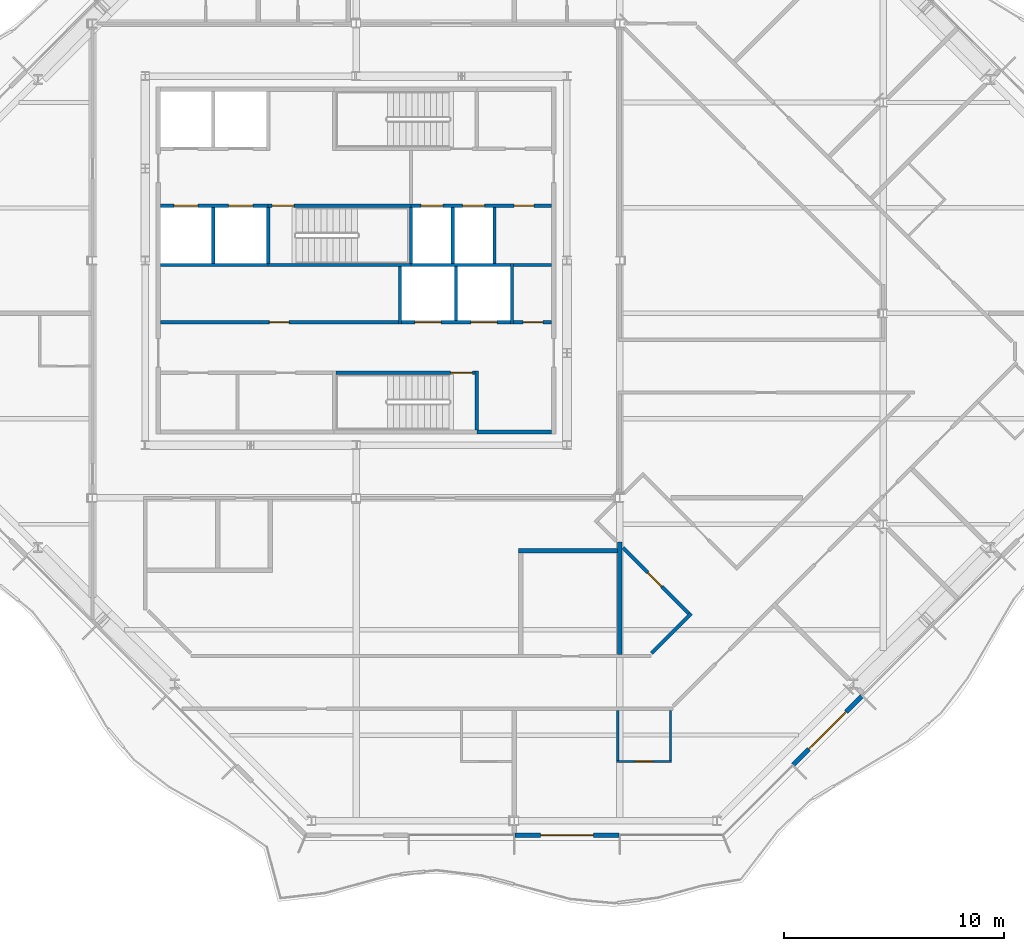
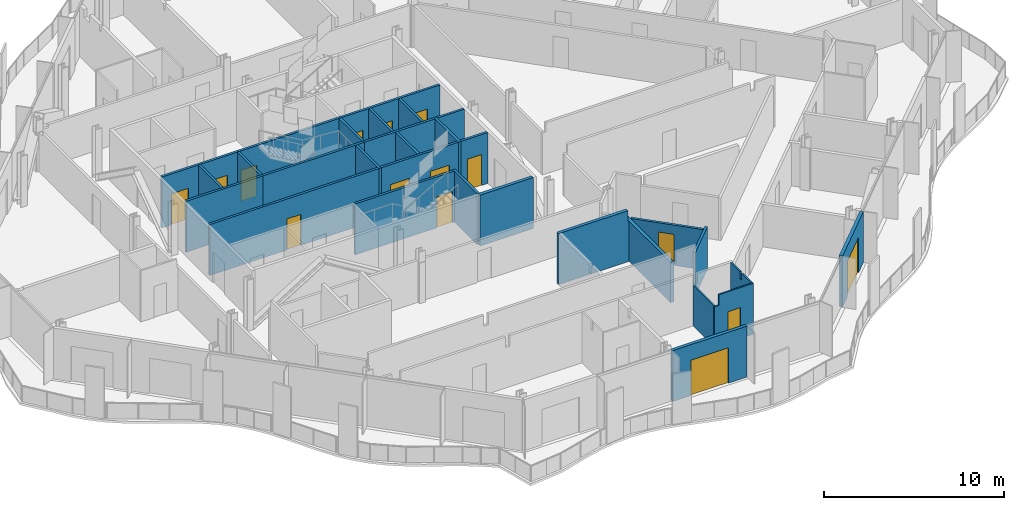
# One storey, part 8 of 17: 30 walls, 15 doors, 15 openings.
"""IFC4 building model written with IfcOpenShell, lengths in metres."""

from ifc_helpers import new_model, si_unit, direction, frame, frame_2d, origin, place, context, subcontext, project, spatial, polyline, rectangle, outline, extrude, material, layer, layer_set, type_object, element, fill, save


model = new_model("IFC4")

# Units and contexts
model_context = context("Model", 3, precision=1e-05, world=origin(), true_north=direction((0.0, 1.0)))
body_context = subcontext(model_context, "Body", "Model", "MODEL_VIEW")
ifc_project = project(units=[si_unit("LENGTHUNIT", "METRE"), si_unit("AREAUNIT", "SQUARE_METRE"), si_unit("VOLUMEUNIT", "CUBIC_METRE"), si_unit("PLANEANGLEUNIT", "RADIAN"), si_unit("MASSUNIT", "GRAM", prefix="KILO")], contexts=[model_context])

# Site, building, storey
site_placement = place(None, origin())
site = spatial("IfcSite", under=ifc_project, at=site_placement, CompositionType="ELEMENT")
building_placement = place(site_placement, origin())
building = spatial("IfcBuilding", under=site, at=building_placement, Name="Cairn Pilgrim Tower", CompositionType="ELEMENT")
storey_placement = place(building_placement, frame((0.0, 0.0, 232.199951171875)))
storey = spatial("IfcBuildingStorey", under=building, at=storey_placement, Name="L59", CompositionType="ELEMENT", Elevation=232.199951171875)

# Wall, opening, door
ifc_material_1 = material(Name="Bronze anodised aluminium insulated sandwich panel with mineral wool fill", Category="aluminium")
ifc_layer_1 = layer(ifc_material_1, 0.199951171875)
ifc_layer_set_1 = layer_set([ifc_layer_1], Name="BRONZE INFILL FRAME WALL 200")
wall_type_1 = type_object("IfcWallType", Name="BRONZE INFILL FRAME WALL 200", PredefinedType="NOTDEFINED", material=ifc_layer_set_1)
wall_1_placement = place(storey_placement, frame((14.429931640625, -23.75, 0.0), z_axis=(0.0, 0.0, 1.0), x_axis=(1.0, 0.0, 0.0)))
wall_1 = element("IfcWall", 1, at=wall_1_placement, inside=storey, type_object=wall_type_1, Name="Bronze infill frame wall IW-S3", PredefinedType="NOTDEFINED", context=body_context, shape_type="SweptSolid", body=[
    extrude(rectangle(XDim=4.739990234375, YDim=0.199951171875, at=frame_2d((2.3701171875, 0.0))), origin(), (0.0, 0.0, 1.0), 3.449951171875),
])
opening_1_placement = place(wall_1_placement, frame((1.169921875, 0.0, 0.0)))
opening_1 = element("IfcOpeningElement", 2, at=opening_1_placement, cuts=wall_1, Name="Opening 5901B2", PredefinedType="OPENING", context=body_context, shape_type="SweptSolid", body=[
    extrude(rectangle(XDim=2.39990234375, YDim=2.39990234375, at=frame_2d((1.199951171875, 1.199951171875))), frame((0.0, 0.10986328125, 0.0), z_axis=(0.0, -1.0, 0.0), x_axis=(1.0, 0.0, 0.0)), (0.0, 0.0, 1.0), 0.219970703125),
])
ifc_material_2 = material(Name="Bronze anodised aluminium frame with tinted low-E glass", Category="aluminium")
door_type_1 = type_object("IfcDoorType", Name="BALCONY SLIDING DOOR 2400x2400", OperationType="DOUBLE_DOOR_SLIDING", PredefinedType="DOOR", material=ifc_material_2)
door_1_placement = place(opening_1_placement, origin())
door_1 = element("IfcDoor", 3, at=door_1_placement, inside=storey, type_object=door_type_1, Name="Balcony sliding door 5901B2", OperationType="SINGLE_SWING_LEFT", OverallHeight=2.39990234375, OverallWidth=2.39990234375, PredefinedType="DOOR", context=body_context, shape_type="SweptSolid", body=[
    extrude(rectangle(XDim=2.39990234375, YDim=2.39990234375, at=frame_2d((1.199951171875, 1.199951171875))), frame((0.0, 0.02490234375, 0.0), z_axis=(0.0, -1.0, 0.0), x_axis=(1.0, 0.0, 0.0)), (0.0, 0.0, 1.0), 0.050048828125),
])
fill(opening_1, door_1)

wall_2_placement = place(storey_placement, frame((27.09326171875, -20.55322265625, 0.0), z_axis=(0.0, 0.0, 1.0), x_axis=(0.707079231393, 0.707134329907, 0.0)))
wall_2 = element("IfcWall", 4, at=wall_2_placement, inside=storey, type_object=wall_type_1, Name="Bronze infill frame wall IW-SE2", PredefinedType="NOTDEFINED", context=body_context, shape_type="SweptSolid", body=[
    extrude(rectangle(XDim=4.430908203125, YDim=0.199951171875, at=frame_2d((2.21533203125, 0.0))), origin(), (0.0, 0.0, 1.0), 3.449951171875),
])
opening_2_placement = place(wall_2_placement, frame((1.015380859375, 0.0, 0.0)))
opening_2 = element("IfcOpeningElement", 5, at=opening_2_placement, cuts=wall_2, Name="Opening 5901B", PredefinedType="OPENING", context=body_context, shape_type="SweptSolid", body=[
    extrude(rectangle(XDim=2.39990234375, YDim=2.39990234375, at=frame_2d((1.199951171875, 1.199951171875))), frame((0.0, 0.10986328125, 0.0), z_axis=(0.0, -1.0, 0.0), x_axis=(1.0, 0.0, 0.0)), (0.0, 0.0, 1.0), 0.219970703125),
])
door_2_placement = place(opening_2_placement, origin())
door_2 = element("IfcDoor", 6, at=door_2_placement, inside=storey, type_object=door_type_1, Name="Balcony sliding door 5901B", OperationType="SINGLE_SWING_LEFT", OverallHeight=2.39990234375, OverallWidth=2.39990234375, PredefinedType="DOOR", context=body_context, shape_type="SweptSolid", body=[
    extrude(rectangle(XDim=2.39990234375, YDim=2.39990234375, at=frame_2d((1.199951171875, 1.199951171875))), frame((0.0, 0.02490234375, 0.0), z_axis=(0.0, -1.0, 0.0), x_axis=(1.0, 0.0, 0.0)), (0.0, 0.0, 1.0), 0.050048828125),
])
fill(opening_2, door_2)

# Wall
ifc_material_3 = material(Name="Concrete C32/40", Category="concrete")
ifc_layer_2 = layer(ifc_material_3, 0.199951171875)
ifc_layer_set_2 = layer_set([ifc_layer_2], Name="CORE OUTER WALL 200 EI 120")
wall_type_2 = type_object("IfcWallType", Name="CORE OUTER WALL 200 EI 120", PredefinedType="SOLIDWALL", material=ifc_layer_set_2)
wall_3_placement = place(storey_placement, frame((12.699951171875, -5.39990234375, 0.0), z_axis=(0.0, 0.0, 1.0), x_axis=(1.0, 0.0, 0.0)))
element("IfcWall", 7, at=wall_3_placement, inside=storey, type_object=wall_type_2, Name="CW:L59:H01-3", PredefinedType="SOLIDWALL", context=body_context, shape_type="SweptSolid", body=[
    extrude(rectangle(XDim=3.400146484375, YDim=0.199951171875, at=frame_2d((1.7001953125, 0.0))), origin(), (0.0, 0.0, 1.0), 3.449951171875),
])

# Wall, opening, door
ifc_layer_3 = layer(ifc_material_3, 0.14990234375)
ifc_layer_set_3 = layer_set([ifc_layer_3], Name="CORE PARTITION 150 EI 60")
wall_type_3 = type_object("IfcWallType", Name="CORE PARTITION 150 EI 60", PredefinedType="PARTITIONING", material=ifc_layer_set_3)
wall_4_placement = place(storey_placement, frame((-1.699951171875, -0.39990234375, 0.0), z_axis=(0.0, 0.0, 1.0), x_axis=(1.0, 0.0, 0.0)))
wall_4 = element("IfcWall", 8, at=wall_4_placement, inside=storey, type_object=wall_type_3, Name="CW:L59:H04", PredefinedType="PARTITIONING", context=body_context, shape_type="SweptSolid", body=[
    extrude(rectangle(XDim=10.824951171875, YDim=0.14990234375, at=frame_2d((5.41259765625, 0.0))), origin(), (0.0, 0.0, 1.0), 3.449951171875),
])
opening_3_placement = place(wall_4_placement, frame((4.949951171875, 0.0, 0.0)))
opening_3 = element("IfcOpeningElement", 9, at=opening_3_placement, cuts=wall_4, Name="Opening RD-R2W1", PredefinedType="OPENING", context=body_context, shape_type="SweptSolid", body=[
    extrude(rectangle(XDim=0.89990234375, YDim=2.10009765625, at=frame_2d((0.449951171875, 1.050048828125))), frame((0.0, 0.0849609375, 0.0), z_axis=(0.0, -1.0, 0.0), x_axis=(1.0, 0.0, 0.0)), (0.0, 0.0, 1.0), 0.169921875),
])
ifc_material_4 = material(Name="Painted steel", Category="steel")
door_type_2 = type_object("IfcDoorType", Name="SERVICE ROOM DOOR 900x2100", OperationType="SINGLE_SWING_LEFT", PredefinedType="DOOR", material=ifc_material_4)
door_3_placement = place(opening_3_placement, origin())
door_3 = element("IfcDoor", 10, at=door_3_placement, inside=storey, type_object=door_type_2, Name="RD-R2W1", OperationType="SINGLE_SWING_RIGHT", OverallHeight=2.10009765625, OverallWidth=0.89990234375, PredefinedType="DOOR", context=body_context, shape_type="SweptSolid", body=[
    extrude(rectangle(XDim=0.89990234375, YDim=2.10009765625, at=frame_2d((0.449951171875, 1.050048828125))), frame((0.0, 0.02490234375, 0.0), z_axis=(0.0, -1.0, 0.0), x_axis=(1.0, 0.0, 0.0)), (0.0, 0.0, 1.0), 0.050048828125),
])
fill(opening_3, door_3)

wall_5_placement = place(storey_placement, frame((14.375, -0.39990234375, 0.0), z_axis=(0.0, 0.0, 1.0), x_axis=(1.0, 0.0, 0.0)))
wall_5 = element("IfcWall", 11, at=wall_5_placement, inside=storey, type_object=wall_type_3, Name="CW:L59:H06", PredefinedType="PARTITIONING", context=body_context, shape_type="SweptSolid", body=[
    extrude(rectangle(XDim=1.72509765625, YDim=0.14990234375, at=frame_2d((0.862548828125, 0.0))), origin(), (0.0, 0.0, 1.0), 3.449951171875),
])
opening_4_placement = place(wall_5_placement, frame((0.425048828125, 0.0, 0.0)))
opening_4 = element("IfcOpeningElement", 12, at=opening_4_placement, cuts=wall_5, Name="Opening RD-R2E", PredefinedType="OPENING", context=body_context, shape_type="SweptSolid", body=[
    extrude(rectangle(XDim=0.89990234375, YDim=2.10009765625, at=frame_2d((0.449951171875, 1.050048828125))), frame((0.0, 0.0849609375, 0.0), z_axis=(0.0, -1.0, 0.0), x_axis=(1.0, 0.0, 0.0)), (0.0, 0.0, 1.0), 0.169921875),
])
door_4_placement = place(opening_4_placement, origin())
door_4 = element("IfcDoor", 13, at=door_4_placement, inside=storey, type_object=door_type_2, Name="RD-R2E", OperationType="SINGLE_SWING_LEFT", OverallHeight=2.10009765625, OverallWidth=0.89990234375, PredefinedType="DOOR", context=body_context, shape_type="SweptSolid", body=[
    extrude(rectangle(XDim=0.89990234375, YDim=2.10009765625, at=frame_2d((0.449951171875, 1.050048828125))), frame((0.0, 0.02490234375, 0.0), z_axis=(0.0, -1.0, 0.0), x_axis=(1.0, 0.0, 0.0)), (0.0, 0.0, 1.0), 0.050048828125),
])
fill(opening_4, door_4)

# Wall
wall_6_placement = place(storey_placement, frame((14.375, 2.199951171875, 0.0), z_axis=(0.0, 0.0, 1.0), x_axis=(1.0, 0.0, 0.0)))
element("IfcWall", 14, at=wall_6_placement, inside=storey, type_object=wall_type_3, Name="CW:L59:H08", PredefinedType="PARTITIONING", context=body_context, shape_type="SweptSolid", body=[
    extrude(rectangle(XDim=1.72509765625, YDim=0.14990234375, at=frame_2d((0.862548828125, 0.0))), origin(), (0.0, 0.0, 1.0), 3.449951171875),
])

# Wall, openings, doors
ifc_layer_4 = layer(ifc_material_3, 0.14990234375)
ifc_layer_set_4 = layer_set([ifc_layer_4], Name="CORE SHAFT WALL 150 EI 120")
wall_type_4 = type_object("IfcWallType", Name="CORE SHAFT WALL 150 EI 120", PredefinedType="SOLIDWALL", material=ifc_layer_set_4)
wall_7_placement = place(storey_placement, frame((9.27490234375, -0.39990234375, 0.0), z_axis=(0.0, 0.0, 1.0), x_axis=(1.0, 0.0, 0.0)))
wall_7 = element("IfcWall", 15, at=wall_7_placement, inside=storey, type_object=wall_type_4, Name="CW:L59:H05", PredefinedType="SOLIDWALL", context=body_context, shape_type="SweptSolid", body=[
    extrude(rectangle(XDim=4.9501953125, YDim=0.14990234375, at=frame_2d((2.47509765625, 0.0))), origin(), (0.0, 0.0, 1.0), 3.449951171875),
])
opening_5_placement = place(wall_7_placement, frame((0.60009765625, 0.0, 0.0)))
opening_5 = element("IfcOpeningElement", 16, at=opening_5_placement, cuts=wall_7, Name="Opening LD-SV1", PredefinedType="OPENING", context=body_context, shape_type="SweptSolid", body=[
    extrude(rectangle(XDim=1.199951171875, YDim=2.10009765625, at=frame_2d((0.60009765625, 1.050048828125))), frame((0.0, 0.0849609375, 0.0), z_axis=(0.0, -1.0, 0.0), x_axis=(1.0, 0.0, 0.0)), (0.0, 0.0, 1.0), 0.169921875),
])
opening_6_placement = place(wall_7_placement, frame((3.14990234375, 0.0, 0.0)))
opening_6 = element("IfcOpeningElement", 17, at=opening_6_placement, cuts=wall_7, Name="Opening LD-SV2", PredefinedType="OPENING", context=body_context, shape_type="SweptSolid", body=[
    extrude(rectangle(XDim=1.199951171875, YDim=2.10009765625, at=frame_2d((0.60009765625, 1.050048828125))), frame((0.0, 0.0849609375, 0.0), z_axis=(0.0, -1.0, 0.0), x_axis=(1.0, 0.0, 0.0)), (0.0, 0.0, 1.0), 0.169921875),
])
ifc_material_5 = material(Name="Stainless steel", Category="steel")
door_type_3 = type_object("IfcDoorType", Name="LIFT LANDING DOOR 1200x2100", OperationType="DOUBLE_DOOR_SLIDING", PredefinedType="DOOR", material=ifc_material_5)
door_5_placement = place(opening_5_placement, origin())
door_5 = element("IfcDoor", 18, at=door_5_placement, inside=storey, type_object=door_type_3, Name="LANDING DOOR SV1", OperationType="DOUBLE_DOOR_SLIDING", OverallHeight=2.10009765625, OverallWidth=1.199951171875, PredefinedType="DOOR", context=body_context, shape_type="SweptSolid", body=[
    extrude(rectangle(XDim=1.199951171875, YDim=2.10009765625, at=frame_2d((0.60009765625, 1.050048828125))), frame((0.0, 0.02490234375, 0.0), z_axis=(0.0, -1.0, 0.0), x_axis=(1.0, 0.0, 0.0)), (0.0, 0.0, 1.0), 0.050048828125),
])
fill(opening_5, door_5)
door_6_placement = place(opening_6_placement, origin())
door_6 = element("IfcDoor", 19, at=door_6_placement, inside=storey, type_object=door_type_3, Name="LANDING DOOR SV2", OperationType="DOUBLE_DOOR_SLIDING", OverallHeight=2.10009765625, OverallWidth=1.199951171875, PredefinedType="DOOR", context=body_context, shape_type="SweptSolid", body=[
    extrude(rectangle(XDim=1.199951171875, YDim=2.10009765625, at=frame_2d((0.60009765625, 1.050048828125))), frame((0.0, 0.02490234375, 0.0), z_axis=(0.0, -1.0, 0.0), x_axis=(1.0, 0.0, 0.0)), (0.0, 0.0, 1.0), 0.050048828125),
])
fill(opening_6, door_6)

# Walls
wall_8_placement = place(storey_placement, frame((-1.699951171875, 2.199951171875, 0.0), z_axis=(0.0, 0.0, 1.0), x_axis=(1.0, 0.0, 0.0)))
element("IfcWall", 20, at=wall_8_placement, inside=storey, type_object=wall_type_4, Name="CW:L59:H07-1", PredefinedType="SOLIDWALL", context=body_context, shape_type="SweptSolid", body=[
    extrude(rectangle(XDim=4.89990234375, YDim=0.14990234375, at=frame_2d((2.449951171875, 0.0))), origin(), (0.0, 0.0, 1.0), 3.449951171875),
])
wall_9_placement = place(storey_placement, frame((9.699951171875, 2.199951171875, 0.0), z_axis=(0.0, 0.0, 1.0), x_axis=(1.0, 0.0, 0.0)))
element("IfcWall", 21, at=wall_9_placement, inside=storey, type_object=wall_type_4, Name="CW:L59:H07-3", PredefinedType="SOLIDWALL", context=body_context, shape_type="SweptSolid", body=[
    extrude(rectangle(XDim=4.525146484375, YDim=0.14990234375, at=frame_2d((2.2626953125, 0.0))), origin(), (0.0, 0.0, 1.0), 3.449951171875),
])

# Wall, openings, doors
wall_10_placement = place(storey_placement, frame((-1.699951171875, 4.89990234375, 0.0), z_axis=(0.0, 0.0, 1.0), x_axis=(1.0, 0.0, 0.0)))
wall_10 = element("IfcWall", 22, at=wall_10_placement, inside=storey, type_object=wall_type_4, Name="CW:L59:H09-1", PredefinedType="SOLIDWALL", context=body_context, shape_type="SweptSolid", body=[
    extrude(rectangle(XDim=4.89990234375, YDim=0.14990234375, at=frame_2d((2.449951171875, 0.0))), origin(), (0.0, 0.0, 1.0), 3.449951171875),
])
opening_7_placement = place(wall_10_placement, frame((0.60009765625, 0.0, 0.0)))
opening_7 = element("IfcOpeningElement", 23, at=opening_7_placement, cuts=wall_10, Name="Opening LD-HR1", PredefinedType="OPENING", context=body_context, shape_type="SweptSolid", body=[
    extrude(rectangle(XDim=1.10009765625, YDim=2.10009765625, at=frame_2d((0.550048828125, 1.050048828125))), frame((0.0, 0.0849609375, 0.0), z_axis=(0.0, -1.0, 0.0), x_axis=(1.0, 0.0, 0.0)), (0.0, 0.0, 1.0), 0.169921875),
])
opening_8_placement = place(wall_10_placement, frame((3.10009765625, 0.0, 0.0)))
opening_8 = element("IfcOpeningElement", 24, at=opening_8_placement, cuts=wall_10, Name="Opening LD-HR2", PredefinedType="OPENING", context=body_context, shape_type="SweptSolid", body=[
    extrude(rectangle(XDim=1.10009765625, YDim=2.10009765625, at=frame_2d((0.550048828125, 1.050048828125))), frame((0.0, 0.0849609375, 0.0), z_axis=(0.0, -1.0, 0.0), x_axis=(1.0, 0.0, 0.0)), (0.0, 0.0, 1.0), 0.169921875),
])
door_type_4 = type_object("IfcDoorType", Name="LIFT LANDING DOOR 1100x2100", OperationType="DOUBLE_DOOR_SLIDING", PredefinedType="DOOR", material=ifc_material_5)
door_7_placement = place(opening_7_placement, origin())
door_7 = element("IfcDoor", 25, at=door_7_placement, inside=storey, type_object=door_type_4, Name="LANDING DOOR HR1", OperationType="DOUBLE_DOOR_SLIDING", OverallHeight=2.10009765625, OverallWidth=1.10009765625, PredefinedType="DOOR", context=body_context, shape_type="SweptSolid", body=[
    extrude(rectangle(XDim=1.10009765625, YDim=2.10009765625, at=frame_2d((0.550048828125, 1.050048828125))), frame((0.0, 0.02490234375, 0.0), z_axis=(0.0, -1.0, 0.0), x_axis=(1.0, 0.0, 0.0)), (0.0, 0.0, 1.0), 0.050048828125),
])
fill(opening_7, door_7)
door_8_placement = place(opening_8_placement, origin())
door_8 = element("IfcDoor", 26, at=door_8_placement, inside=storey, type_object=door_type_4, Name="LANDING DOOR HR2", OperationType="DOUBLE_DOOR_SLIDING", OverallHeight=2.10009765625, OverallWidth=1.10009765625, PredefinedType="DOOR", context=body_context, shape_type="SweptSolid", body=[
    extrude(rectangle(XDim=1.10009765625, YDim=2.10009765625, at=frame_2d((0.550048828125, 1.050048828125))), frame((0.0, 0.02490234375, 0.0), z_axis=(0.0, -1.0, 0.0), x_axis=(1.0, 0.0, 0.0)), (0.0, 0.0, 1.0), 0.050048828125),
])
fill(opening_8, door_8)

wall_11_placement = place(storey_placement, frame((9.699951171875, 4.89990234375, 0.0), z_axis=(0.0, 0.0, 1.0), x_axis=(1.0, 0.0, 0.0)))
wall_11 = element("IfcWall", 27, at=wall_11_placement, inside=storey, type_object=wall_type_4, Name="CW:L59:H09-3", PredefinedType="SOLIDWALL", context=body_context, shape_type="SweptSolid", body=[
    extrude(rectangle(XDim=6.400146484375, YDim=0.14990234375, at=frame_2d((3.2001953125, 0.0))), origin(), (0.0, 0.0, 1.0), 3.449951171875),
])
opening_9_placement = place(wall_11_placement, frame((0.449951171875, 0.0, 0.0)))
opening_9 = element("IfcOpeningElement", 28, at=opening_9_placement, cuts=wall_11, Name="Opening LD-FF1", PredefinedType="OPENING", context=body_context, shape_type="SweptSolid", body=[
    extrude(rectangle(XDim=1.0, YDim=2.10009765625, at=frame_2d((0.5, 1.050048828125))), frame((0.0, 0.0849609375, 0.0), z_axis=(0.0, -1.0, 0.0), x_axis=(1.0, 0.0, 0.0)), (0.0, 0.0, 1.0), 0.169921875),
])
opening_10_placement = place(wall_11_placement, frame((2.35009765625, 0.0, 0.0)))
opening_10 = element("IfcOpeningElement", 29, at=opening_10_placement, cuts=wall_11, Name="Opening LD-FF2", PredefinedType="OPENING", context=body_context, shape_type="SweptSolid", body=[
    extrude(rectangle(XDim=1.0, YDim=2.10009765625, at=frame_2d((0.5, 1.050048828125))), frame((0.0, 0.0849609375, 0.0), z_axis=(0.0, -1.0, 0.0), x_axis=(1.0, 0.0, 0.0)), (0.0, 0.0, 1.0), 0.169921875),
])
opening_11_placement = place(wall_11_placement, frame((4.699951171875, 0.0, 0.0)))
opening_11 = element("IfcOpeningElement", 30, at=opening_11_placement, cuts=wall_11, Name="Opening RD-R3E", PredefinedType="OPENING", context=body_context, shape_type="SweptSolid", body=[
    extrude(rectangle(XDim=0.89990234375, YDim=2.10009765625, at=frame_2d((0.449951171875, 1.050048828125))), frame((0.0, 0.0849609375, 0.0), z_axis=(0.0, -1.0, 0.0), x_axis=(1.0, 0.0, 0.0)), (0.0, 0.0, 1.0), 0.169921875),
])
door_type_5 = type_object("IfcDoorType", Name="LIFT LANDING DOOR FIRE 1000x2100", OperationType="DOUBLE_DOOR_SLIDING", PredefinedType="DOOR", material=ifc_material_5)
door_9_placement = place(opening_9_placement, origin())
door_9 = element("IfcDoor", 31, at=door_9_placement, inside=storey, type_object=door_type_5, Name="LANDING DOOR FF1", OperationType="DOUBLE_DOOR_SLIDING", OverallHeight=2.10009765625, OverallWidth=1.0, PredefinedType="DOOR", context=body_context, shape_type="SweptSolid", body=[
    extrude(rectangle(XDim=1.0, YDim=2.10009765625, at=frame_2d((0.5, 1.050048828125))), frame((0.0, 0.02490234375, 0.0), z_axis=(0.0, -1.0, 0.0), x_axis=(1.0, 0.0, 0.0)), (0.0, 0.0, 1.0), 0.050048828125),
])
fill(opening_9, door_9)
door_10_placement = place(opening_10_placement, origin())
door_10 = element("IfcDoor", 32, at=door_10_placement, inside=storey, type_object=door_type_5, Name="LANDING DOOR FF2", OperationType="DOUBLE_DOOR_SLIDING", OverallHeight=2.10009765625, OverallWidth=1.0, PredefinedType="DOOR", context=body_context, shape_type="SweptSolid", body=[
    extrude(rectangle(XDim=1.0, YDim=2.10009765625, at=frame_2d((0.5, 1.050048828125))), frame((0.0, 0.02490234375, 0.0), z_axis=(0.0, -1.0, 0.0), x_axis=(1.0, 0.0, 0.0)), (0.0, 0.0, 1.0), 0.050048828125),
])
fill(opening_10, door_10)
door_11_placement = place(opening_11_placement, origin())
door_11 = element("IfcDoor", 33, at=door_11_placement, inside=storey, type_object=door_type_2, Name="RD-R3E", OperationType="SINGLE_SWING_RIGHT", OverallHeight=2.10009765625, OverallWidth=0.89990234375, PredefinedType="DOOR", context=body_context, shape_type="SweptSolid", body=[
    extrude(rectangle(XDim=0.89990234375, YDim=2.10009765625, at=frame_2d((0.449951171875, 1.050048828125))), frame((0.0, 0.02490234375, 0.0), z_axis=(0.0, -1.0, 0.0), x_axis=(1.0, 0.0, 0.0)), (0.0, 0.0, 1.0), 0.050048828125),
])
fill(opening_11, door_11)

# Walls
wall_12_placement = place(storey_placement, frame((0.699951171875, 2.27490234375, 0.0), z_axis=(0.0, 0.0, 1.0), x_axis=(0.0, 1.0, 0.0)))
element("IfcWall", 34, at=wall_12_placement, inside=storey, type_object=wall_type_4, Name="CW:L59:V14", PredefinedType="SOLIDWALL", context=body_context, shape_type="SweptSolid", body=[
    extrude(rectangle(XDim=2.550048828125, YDim=0.14990234375, at=frame_2d((1.27490234375, 0.0))), origin(), (0.0, 0.0, 1.0), 3.449951171875),
])
wall_13_placement = place(storey_placement, frame((9.199951171875, -0.47509765625, 0.0), z_axis=(0.0, 0.0, 1.0), x_axis=(0.0, 1.0, 0.0)))
element("IfcWall", 35, at=wall_13_placement, inside=storey, type_object=wall_type_4, Name="CW:L59:V21", PredefinedType="SOLIDWALL", context=body_context, shape_type="SweptSolid", body=[
    extrude(rectangle(XDim=2.60009765625, YDim=0.14990234375, at=frame_2d((1.300048828125, 0.0))), origin(), (0.0, 0.0, 1.0), 3.449951171875),
])
wall_14_placement = place(storey_placement, frame((11.60009765625, 2.27490234375, 0.0), z_axis=(0.0, 0.0, 1.0), x_axis=(0.0, 1.0, 0.0)))
element("IfcWall", 36, at=wall_14_placement, inside=storey, type_object=wall_type_4, Name="CW:L59:V24", PredefinedType="SOLIDWALL", context=body_context, shape_type="SweptSolid", body=[
    extrude(rectangle(XDim=2.550048828125, YDim=0.14990234375, at=frame_2d((1.27490234375, 0.0))), origin(), (0.0, 0.0, 1.0), 3.449951171875),
])
wall_15_placement = place(storey_placement, frame((11.75, -0.324951171875, 0.0), z_axis=(0.0, 0.0, 1.0), x_axis=(0.0, 1.0, 0.0)))
element("IfcWall", 37, at=wall_15_placement, inside=storey, type_object=wall_type_4, Name="CW:L59:V25", PredefinedType="SOLIDWALL", context=body_context, shape_type="SweptSolid", body=[
    extrude(rectangle(XDim=2.449951171875, YDim=0.14990234375, at=frame_2d((1.22509765625, 0.0))), origin(), (0.0, 0.0, 1.0), 3.449951171875),
])
wall_16_placement = place(storey_placement, frame((13.5, 2.27490234375, 0.0), z_axis=(0.0, 0.0, 1.0), x_axis=(0.0, 1.0, 0.0)))
element("IfcWall", 38, at=wall_16_placement, inside=storey, type_object=wall_type_4, Name="CW:L59:V28", PredefinedType="SOLIDWALL", context=body_context, shape_type="SweptSolid", body=[
    extrude(rectangle(XDim=2.550048828125, YDim=0.14990234375, at=frame_2d((1.27490234375, 0.0))), origin(), (0.0, 0.0, 1.0), 3.449951171875),
])
wall_17_placement = place(storey_placement, frame((14.300048828125, -0.47509765625, 0.0), z_axis=(0.0, 0.0, 1.0), x_axis=(0.0, 1.0, 0.0)))
element("IfcWall", 39, at=wall_17_placement, inside=storey, type_object=wall_type_4, Name="CW:L59:V29", PredefinedType="SOLIDWALL", context=body_context, shape_type="SweptSolid", body=[
    extrude(rectangle(XDim=2.75, YDim=0.14990234375, at=frame_2d((1.375, 0.0))), origin(), (0.0, 0.0, 1.0), 3.449951171875),
])

# Wall, opening, door
ifc_material_6 = material(Name="Gypsum partition")
ifc_layer_5 = layer(ifc_material_6, 0.10009765625)
ifc_layer_set_5 = layer_set([ifc_layer_5], Name="PARTITION 100 DRYWALL")
wall_type_5 = type_object("IfcWallType", Name="PARTITION 100 DRYWALL", PredefinedType="PARTITIONING", material=ifc_layer_set_5)
wall_18_placement = place(storey_placement, frame((19.06494140625, -20.39990234375, 0.0), z_axis=(0.0, 0.0, 1.0), x_axis=(1.0, 0.0, 0.0)))
wall_18 = element("IfcWall", 40, at=wall_18_placement, inside=storey, type_object=wall_type_5, Name="PARTITION W005", PredefinedType="PARTITIONING", context=body_context, shape_type="SweptSolid", body=[
    extrude(outline(polyline([(0.0, 0.0), (2.5, 0.0), (2.5, 3.449951171875), (0.284912109375, 3.449951171875), (0.282958984375, 2.72998046875), (0.0, 2.72998046875), (0.0, 0.0)])), frame((0.0, 0.050048828125, 0.0), z_axis=(0.0, -1.0, 0.0), x_axis=(1.0, 0.0, 0.0)), (0.0, 0.0, 1.0), 0.10009765625),
])
opening_12_placement = place(wall_18_placement, frame((0.85009765625, 0.0, 0.0)))
opening_12 = element("IfcOpeningElement", 41, at=opening_12_placement, cuts=wall_18, Name="Opening 5901A", PredefinedType="OPENING", context=body_context, shape_type="SweptSolid", body=[
    extrude(rectangle(XDim=0.800048828125, YDim=2.10009765625, at=frame_2d((0.39990234375, 1.050048828125))), frame((0.0, 0.06005859375, 0.0), z_axis=(0.0, -1.0, 0.0), x_axis=(1.0, 0.0, 0.0)), (0.0, 0.0, 1.0), 0.1201171875),
])
ifc_material_7 = material(Name="Timber door leaf", Category="wood")
door_type_6 = type_object("IfcDoorType", Name="WC DOOR 800x2100", OperationType="NOTDEFINED", PredefinedType="DOOR", material=ifc_material_7)
door_12_placement = place(opening_12_placement, frame((0.800048828125, 0.0, 0.0), z_axis=(0.0, 0.0, 1.0), x_axis=(-1.0, 0.0, 0.0)))
door_12 = element("IfcDoor", 42, at=door_12_placement, inside=storey, type_object=door_type_6, Name="DOOR 5901A", OperationType="SINGLE_SWING_LEFT", OverallHeight=2.10009765625, OverallWidth=0.800048828125, PredefinedType="DOOR", context=body_context, shape_type="SweptSolid", body=[
    extrude(rectangle(XDim=0.800048828125, YDim=2.10009765625, at=frame_2d((0.39990234375, 1.050048828125))), frame((0.0, 0.02490234375, 0.0), z_axis=(0.0, -1.0, 0.0), x_axis=(1.0, 0.0, 0.0)), (0.0, 0.0, 1.0), 0.050048828125),
])
fill(opening_12, door_12)

# Walls
wall_19_placement = place(storey_placement, frame((19.114990234375, -20.35009765625, 0.0), z_axis=(0.0, 0.0, 1.0), x_axis=(0.0, 1.0, 0.0)))
element("IfcWall", 43, at=wall_19_placement, inside=storey, type_object=wall_type_5, Name="PARTITION W006", PredefinedType="PARTITIONING", context=body_context, shape_type="SweptSolid", body=[
    extrude(rectangle(XDim=2.275146484375, YDim=0.10009765625, at=frame_2d((1.1376953125, 0.0))), origin(), (0.0, 0.0, 1.0), 2.72998046875),
])
wall_20_placement = place(storey_placement, frame((21.514892578125, -20.35009765625, 0.0), z_axis=(0.0, 0.0, 1.0), x_axis=(0.0, 1.0, 0.0)))
element("IfcWall", 44, at=wall_20_placement, inside=storey, type_object=wall_type_5, Name="PARTITION W007", PredefinedType="PARTITIONING", context=body_context, shape_type="SweptSolid", body=[
    extrude(outline(polyline([(0.0, 0.0), (2.275146484375, 0.0), (2.27490234375, 3.449951171875), (1.2451171875, 3.449951171875), (1.242919921875, 2.97998046875), (1.054931640625, 2.97998046875), (1.052978515625, 3.449951171875), (0.0, 3.449951171875), (0.0, 0.0)])), frame((0.0, 0.050048828125, 0.0), z_axis=(0.0, -1.0, 0.0), x_axis=(1.0, 0.0, 0.0)), (0.0, 0.0, 1.0), 0.10009765625),
])
ifc_layer_6 = layer(ifc_material_6, 0.14990234375)
ifc_layer_set_6 = layer_set([ifc_layer_6], Name="PARTITION 150 DRYWALL EI 60")
wall_type_6 = type_object("IfcWallType", Name="PARTITION 150 DRYWALL EI 60", PredefinedType="PARTITIONING", material=ifc_layer_set_6)
wall_21_placement = place(storey_placement, frame((20.64892578125, -15.471923828125, 0.0), z_axis=(0.0, 0.0, 1.0), x_axis=(0.707106781187, 0.707106781187, 0.0)))
element("IfcWall", 45, at=wall_21_placement, inside=storey, type_object=wall_type_6, Name="PARTITION W016", PredefinedType="PARTITIONING", context=body_context, shape_type="SweptSolid", body=[
    extrude(rectangle(XDim=2.55126953125, YDim=0.14990234375, at=frame_2d((1.275634765625, 0.0))), origin(), (0.0, 0.0, 1.0), 2.880126953125),
])

# Wall, opening, door
wall_22_placement = place(storey_placement, frame((22.346923828125, -13.66796875, 0.0), z_axis=(0.0, 0.0, 1.0), x_axis=(-0.707106781187, 0.707106781187, 0.0)))
wall_22 = element("IfcWall", 46, at=wall_22_placement, inside=storey, type_object=wall_type_6, Name="PARTITION W018", PredefinedType="PARTITIONING", context=body_context, shape_type="SweptSolid", body=[
    extrude(rectangle(XDim=4.234130859375, YDim=0.14990234375, at=frame_2d((2.1171875, 0.0))), origin(), (0.0, 0.0, 1.0), 2.72998046875),
])
opening_13_placement = place(wall_22_placement, frame((1.737060546875, 0.0, 0.0)))
opening_13 = element("IfcOpeningElement", 47, at=opening_13_placement, cuts=wall_22, Name="Opening 5917", PredefinedType="OPENING", context=body_context, shape_type="SweptSolid", body=[
    extrude(rectangle(XDim=0.89990234375, YDim=2.10009765625, at=frame_2d((0.449951171875, 1.050048828125))), frame((0.0, 0.0849609375, 0.0), z_axis=(0.0, -1.0, 0.0), x_axis=(1.0, 0.0, 0.0)), (0.0, 0.0, 1.0), 0.169921875),
])
door_type_7 = type_object("IfcDoorType", Name="SERVICE DOOR 900x2100 FD30S", OperationType="NOTDEFINED", PredefinedType="DOOR", material=ifc_material_7)
door_13_placement = place(opening_13_placement, origin())
door_13 = element("IfcDoor", 48, at=door_13_placement, inside=storey, type_object=door_type_7, Name="DOOR 5917", OperationType="SINGLE_SWING_RIGHT", OverallHeight=2.10009765625, OverallWidth=0.89990234375, PredefinedType="DOOR", context=body_context, shape_type="SweptSolid", body=[
    extrude(rectangle(XDim=0.89990234375, YDim=2.10009765625, at=frame_2d((0.449951171875, 1.050048828125))), frame((0.0, 0.02490234375, 0.0), z_axis=(0.0, -1.0, 0.0), x_axis=(1.0, 0.0, 0.0)), (0.0, 0.0, 1.0), 0.050048828125),
])
fill(opening_13, door_13)

# Walls
ifc_layer_7 = layer(ifc_material_6, 0.199951171875)
ifc_layer_set_7 = layer_set([ifc_layer_7], Name="SHAFT WALL 200 GYPSUM EI 60")
wall_type_7 = type_object("IfcWallType", Name="SHAFT WALL 200 GYPSUM EI 60", PredefinedType="PARTITIONING", material=ifc_layer_set_7)
wall_23_placement = place(storey_placement, frame((19.199951171875, -15.52490234375, 0.0), z_axis=(0.0, 0.0, 1.0), x_axis=(0.0, 1.0, 0.0)))
element("IfcWall", 49, at=wall_23_placement, inside=storey, type_object=wall_type_7, Name="PARTITION W015", PredefinedType="PARTITIONING", context=body_context, shape_type="SweptSolid", body=[
    extrude(rectangle(XDim=5.120361328125, YDim=0.199951171875, at=frame_2d((2.56005859375, 0.0))), origin(), (0.0, 0.0, 1.0), 2.72998046875),
])
wall_24_placement = place(storey_placement, frame((14.60009765625, -10.800048828125, 0.0), z_axis=(0.0, 0.0, 1.0), x_axis=(1.0, 0.0, 0.0)))
element("IfcWall", 50, at=wall_24_placement, inside=storey, type_object=wall_type_7, Name="PARTITION W028", PredefinedType="PARTITIONING", context=body_context, shape_type="SweptSolid", body=[
    extrude(outline(polyline([(0.0, 0.0), (4.5, 0.0), (4.5, 2.72998046875), (4.449951171875, 2.72998046875), (4.447998046875, 3.449951171875), (0.0, 3.449951171875), (0.0, 0.0)])), frame((0.0, 0.10009765625, 0.0), z_axis=(0.0, -1.0, 0.0), x_axis=(1.0, 0.0, 0.0)), (0.0, 0.0, 1.0), 0.199951171875),
])

# Wall, opening, door
ifc_material_8 = material(Name="Concrete C35/45", Category="concrete")
ifc_layer_8 = layer(ifc_material_8, 0.14990234375)
ifc_layer_set_8 = layer_set([ifc_layer_8], Name="STAIR SHAFT WALL 150 EI 120")
wall_type_8 = type_object("IfcWallType", Name="STAIR SHAFT WALL 150 EI 120", PredefinedType="SOLIDWALL", material=ifc_layer_set_8)
wall_25_placement = place(storey_placement, frame((6.27490234375, -2.699951171875, 0.0), z_axis=(0.0, 0.0, 1.0), x_axis=(1.0, 0.0, 0.0)))
wall_25 = element("IfcWall", 51, at=wall_25_placement, inside=storey, type_object=wall_type_8, Name="CW:L59:H03", PredefinedType="SOLIDWALL", context=body_context, shape_type="SweptSolid", body=[
    extrude(rectangle(XDim=6.35009765625, YDim=0.14990234375, at=frame_2d((3.175048828125, 0.0))), origin(), (0.0, 0.0, 1.0), 3.449951171875),
])
opening_14_placement = place(wall_25_placement, frame((5.22509765625, 0.0, 0.0)))
opening_14 = element("IfcOpeningElement", 52, at=opening_14_placement, cuts=wall_25, Name="Opening SD-A", PredefinedType="OPENING", context=body_context, shape_type="SweptSolid", body=[
    extrude(rectangle(XDim=1.0, YDim=2.10009765625, at=frame_2d((0.5, 1.050048828125))), frame((0.0, 0.0849609375, 0.0), z_axis=(0.0, -1.0, 0.0), x_axis=(1.0, 0.0, 0.0)), (0.0, 0.0, 1.0), 0.169921875),
])
door_type_8 = type_object("IfcDoorType", Name="STAIR DOOR FD60S 1000x2100", OperationType="SINGLE_SWING_LEFT", PredefinedType="DOOR", material=ifc_material_4)
door_14_placement = place(opening_14_placement, origin())
door_14 = element("IfcDoor", 53, at=door_14_placement, inside=storey, type_object=door_type_8, Name="SD-A", OperationType="SINGLE_SWING_RIGHT", OverallHeight=2.10009765625, OverallWidth=1.0, PredefinedType="DOOR", context=body_context, shape_type="SweptSolid", body=[
    extrude(rectangle(XDim=1.0, YDim=2.10009765625, at=frame_2d((0.5, 1.050048828125))), frame((0.0, 0.02490234375, 0.0), z_axis=(0.0, -1.0, 0.0), x_axis=(1.0, 0.0, 0.0)), (0.0, 0.0, 1.0), 0.050048828125),
])
fill(opening_14, door_14)

# Wall
wall_26_placement = place(storey_placement, frame((3.199951171875, 2.199951171875, 0.0), z_axis=(0.0, 0.0, 1.0), x_axis=(1.0, 0.0, 0.0)))
element("IfcWall", 54, at=wall_26_placement, inside=storey, type_object=wall_type_8, Name="CW:L59:H07-2", PredefinedType="SOLIDWALL", context=body_context, shape_type="SweptSolid", body=[
    extrude(rectangle(XDim=6.5, YDim=0.14990234375, at=frame_2d((3.25, 0.0))), origin(), (0.0, 0.0, 1.0), 3.449951171875),
])

# Wall, opening, door
wall_27_placement = place(storey_placement, frame((3.199951171875, 4.89990234375, 0.0), z_axis=(0.0, 0.0, 1.0), x_axis=(1.0, 0.0, 0.0)))
wall_27 = element("IfcWall", 55, at=wall_27_placement, inside=storey, type_object=wall_type_8, Name="CW:L59:H09-2", PredefinedType="SOLIDWALL", context=body_context, shape_type="SweptSolid", body=[
    extrude(rectangle(XDim=6.5, YDim=0.14990234375, at=frame_2d((3.25, 0.0))), origin(), (0.0, 0.0, 1.0), 3.449951171875),
])
opening_15_placement = place(wall_27_placement, frame((0.175048828125, 0.0, 0.0)))
opening_15 = element("IfcOpeningElement", 56, at=opening_15_placement, cuts=wall_27, Name="Opening SD-B", PredefinedType="OPENING", context=body_context, shape_type="SweptSolid", body=[
    extrude(rectangle(XDim=1.0, YDim=2.10009765625, at=frame_2d((0.5, 1.050048828125))), frame((0.0, 0.0849609375, 0.0), z_axis=(0.0, -1.0, 0.0), x_axis=(1.0, 0.0, 0.0)), (0.0, 0.0, 1.0), 0.169921875),
])
door_15_placement = place(opening_15_placement, origin())
door_15 = element("IfcDoor", 57, at=door_15_placement, inside=storey, type_object=door_type_8, Name="SD-B", OperationType="SINGLE_SWING_LEFT", OverallHeight=2.10009765625, OverallWidth=1.0, PredefinedType="DOOR", context=body_context, shape_type="SweptSolid", body=[
    extrude(rectangle(XDim=1.0, YDim=2.10009765625, at=frame_2d((0.5, 1.050048828125))), frame((0.0, 0.02490234375, 0.0), z_axis=(0.0, -1.0, 0.0), x_axis=(1.0, 0.0, 0.0)), (0.0, 0.0, 1.0), 0.050048828125),
])
fill(opening_15, door_15)

# Walls
for number, where, z_axis, x_axis, name in (
    (58, (3.199951171875, 2.27490234375, 0.0), (0.0, 0.0, 1.0), (0.0, 1.0, 0.0), "CW:L59:V17"),
    (59, (9.699951171875, 2.27490234375, 0.0), (0.0, 0.0, 1.0), (0.0, 1.0, 0.0), "CW:L59:V22"),
):
    element("IfcWall", number, at=place(storey_placement, frame(where, z_axis=z_axis, x_axis=x_axis)), inside=storey, type_object=wall_type_8, Name=name, PredefinedType="SOLIDWALL", context=body_context, shape_type="SweptSolid", body=[
        extrude(rectangle(XDim=2.550048828125, YDim=0.14990234375, at=frame_2d((1.27490234375, 0.0))), origin(), (0.0, 0.0, 1.0), 3.449951171875),
    ])
wall_28_placement = place(storey_placement, frame((12.699951171875, -5.300048828125, 0.0), z_axis=(0.0, 0.0, 1.0), x_axis=(0.0, 1.0, 0.0)))
element("IfcWall", 60, at=wall_28_placement, inside=storey, type_object=wall_type_8, Name="CW:L59:V26", PredefinedType="SOLIDWALL", context=body_context, shape_type="SweptSolid", body=[
    extrude(rectangle(XDim=2.675048828125, YDim=0.14990234375, at=frame_2d((1.33740234375, 0.0))), origin(), (0.0, 0.0, 1.0), 3.449951171875),
])

save(model, "model.ifc")
